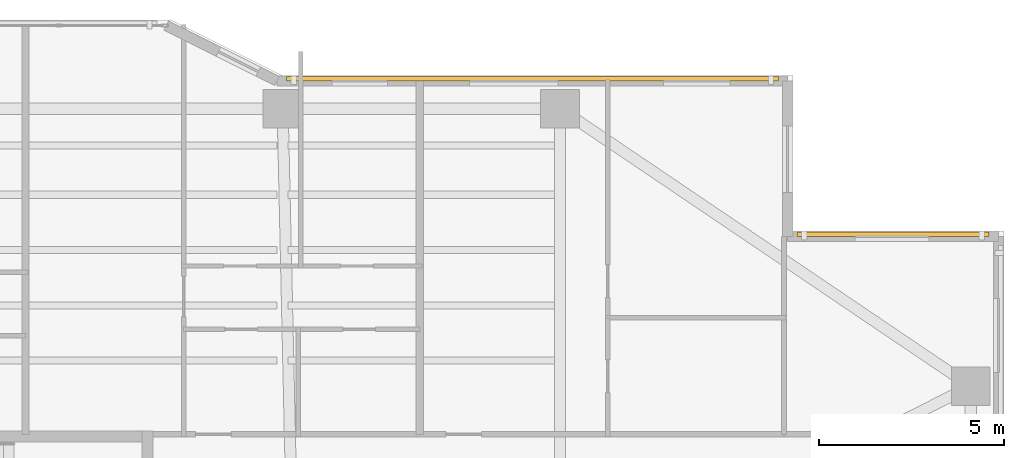
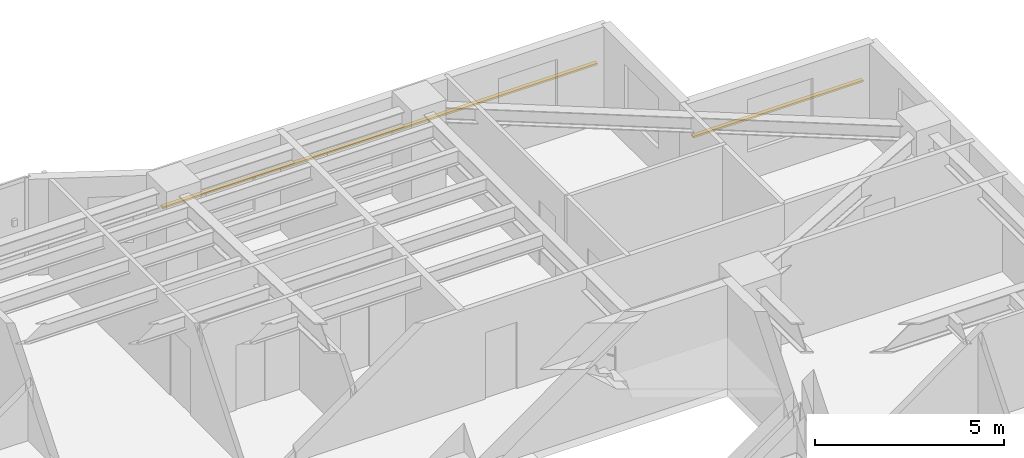
# One storey, part 19 of 19: 2 shading devices.
"""IFC4 building model written with IfcOpenShell, lengths in metres."""

from ifc_helpers import new_model, si_unit, direction, frame, origin, origin_2d, place, context, subcontext, project, spatial, rectangle, extrude, material, material_profile, profile_set, type_object, element, save


model = new_model("IFC4")

# Units and contexts
model_context = context("Model", 3, precision=1e-05, world=origin(), true_north=direction((0.0, 1.0)))
body_context = subcontext(model_context, "Body", "Model", "MODEL_VIEW")
ifc_project = project(units=[si_unit("LENGTHUNIT", "METRE"), si_unit("AREAUNIT", "SQUARE_METRE"), si_unit("VOLUMEUNIT", "CUBIC_METRE"), si_unit("PLANEANGLEUNIT", "RADIAN"), si_unit("MASSUNIT", "GRAM", prefix="KILO")], contexts=[model_context])

# Site, building, storey
site_placement = place(None, origin())
site = spatial("IfcSite", under=ifc_project, at=site_placement, CompositionType="ELEMENT")
building_placement = place(site_placement, origin())
building = spatial("IfcBuilding", under=site, at=building_placement, Name="Tarnavaz Court Tower", CompositionType="ELEMENT")
storey_placement = place(building_placement, frame((0.0, 0.0, 81.64990234375)))
storey = spatial("IfcBuildingStorey", under=building, at=storey_placement, Name="L21", CompositionType="ELEMENT", Elevation=81.64990234375)

# Shading devices
ifc_material = material(Name="Kiln-Fired Khorasan Terracotta Ceramic", Category="masonry")
ifc_material_profile = material_profile(ifc_material, rectangle(XDim=0.1201171875, YDim=0.06005859375, at=origin_2d()), Name="TC BAGUETTE 120X60")
ifc_profile_set = profile_set([ifc_material_profile], Name="Kiln-Fired Khorasan Terracotta Ceramic")
shading_device_type = type_object("IfcShadingDeviceType", Name="SD-BAG-120", PredefinedType="USERDEFINED", material=ifc_profile_set)
shading_device_1_placement = place(storey_placement, frame((7.60009765625, 22.110107421875, 1.85009765625), z_axis=(1.0, 0.0, 0.0), x_axis=(0.0, 1.0, 0.0)))
element("IfcShadingDevice", 1, at=shading_device_1_placement, inside=storey, type_object=shading_device_type, Name="L21 Terracotta Baguette Screen FBG09", ObjectType="BAGUETTE", PredefinedType="USERDEFINED", context=body_context, shape_type="SweptSolid", body=[
    extrude(rectangle(XDim=0.1201171875, YDim=0.06005859375, at=origin_2d()), origin(), (0.0, 0.0, 1.0), 13.2998046875),
])
shading_device_2_placement = place(storey_placement, frame((21.39990234375, 17.909912109375, 1.85009765625), z_axis=(1.0, 0.0, 0.0), x_axis=(0.0, 1.0, 0.0)))
element("IfcShadingDevice", 2, at=shading_device_2_placement, inside=storey, type_object=shading_device_type, Name="L21 Terracotta Baguette Screen FBG11", ObjectType="BAGUETTE", PredefinedType="USERDEFINED", context=body_context, shape_type="SweptSolid", body=[
    extrude(rectangle(XDim=0.1201171875, YDim=0.06005859375, at=origin_2d()), origin(), (0.0, 0.0, 1.0), 5.2001953125),
])

save(model, "model.ifc")
